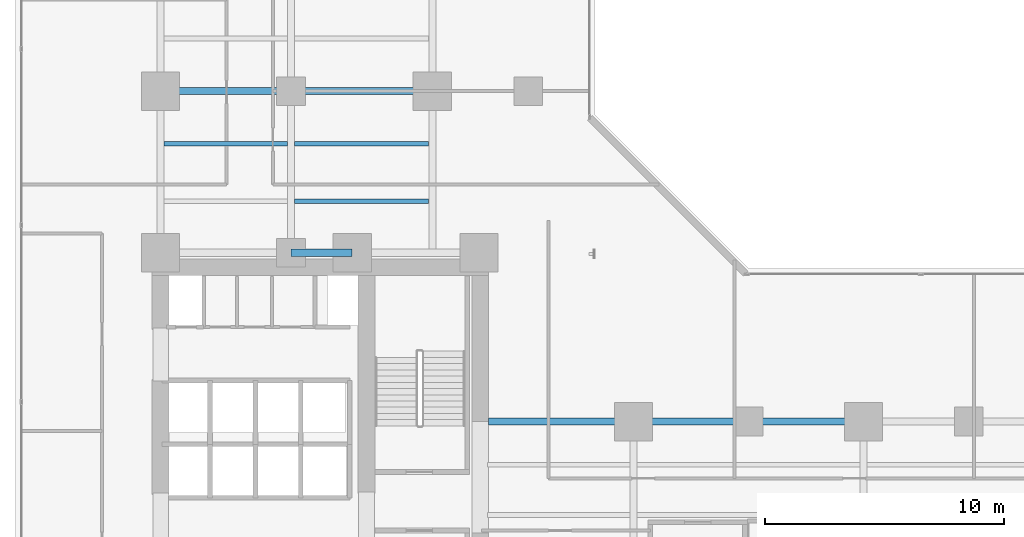
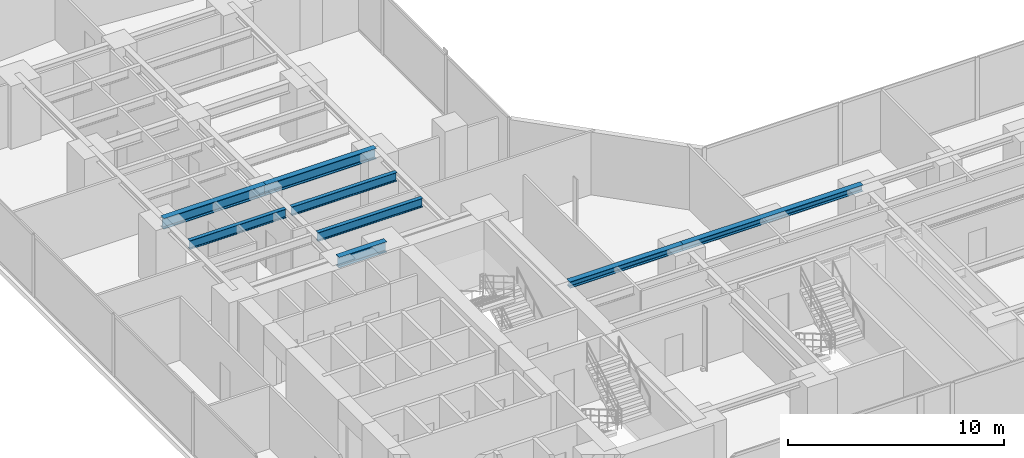
# One storey, part 7 of 28: 8 beams.
"""IFC4 building model written with IfcOpenShell, lengths in metres."""

from ifc_helpers import new_model, si_unit, direction, frame, origin, origin_2d, place, context, subcontext, project, spatial, i_section, extrude, material, material_profile, profile_set, type_object, element, save


model = new_model("IFC4")

# Units and contexts
model_context = context("Model", 3, precision=1e-05, world=origin(), true_north=direction((0.0, 1.0)))
body_context = subcontext(model_context, "Body", "Model", "MODEL_VIEW")
ifc_project = project(units=[si_unit("LENGTHUNIT", "METRE"), si_unit("AREAUNIT", "SQUARE_METRE"), si_unit("VOLUMEUNIT", "CUBIC_METRE"), si_unit("PLANEANGLEUNIT", "RADIAN"), si_unit("MASSUNIT", "GRAM", prefix="KILO")], contexts=[model_context])

# Site, building, storey
site_placement = place(None, origin())
site = spatial("IfcSite", under=ifc_project, at=site_placement, CompositionType="ELEMENT")
building_placement = place(site_placement, origin())
building = spatial("IfcBuilding", under=site, at=building_placement, Name="Kolvaren Waterfront Exchange", CompositionType="ELEMENT")
storey_placement = place(building_placement, frame((0.0, 0.0, 75.199951171875)))
storey = spatial("IfcBuildingStorey", under=building, at=storey_placement, Name="L19", CompositionType="ELEMENT", Elevation=75.199951171875)

# Beams
ifc_material = material(Name="Steel S355", Category="steel")
ifc_material_profile_1 = material_profile(ifc_material, i_section(OverallWidth=0.300048828125, OverallDepth=0.360107421875, WebThickness=0.012451171875, FlangeThickness=0.0224609375, FilletRadius=0.027099609375, at=origin_2d()), Name="HEB360")
ifc_profile_set_1 = profile_set([ifc_material_profile_1], Name="Steel S355")
beam_type_1 = type_object("IfcBeamType", Name="STR-BM-HEB360", PredefinedType="SPANDREL", material=ifc_profile_set_1)
beam_1_placement = place(storey_placement, frame((21.14990234375, 17.39990234375, 3.360107421875), z_axis=(1.0, 0.0, 0.0), x_axis=(0.0, 1.0, 0.0)))
element("IfcBeam", 1, at=beam_1_placement, inside=storey, type_object=beam_type_1, Name="L19 east-arm spandrel N1", PredefinedType="SPANDREL", context=body_context, shape_type="SweptSolid", body=[
    extrude(i_section(OverallWidth=0.300048828125, OverallDepth=0.360107421875, WebThickness=0.012451171875, FlangeThickness=0.0224609375, FilletRadius=0.027099609375, at=origin_2d()), origin(), (0.0, 0.0, 1.0), 6.050048828125),
])
beam_2_placement = place(storey_placement, frame((27.199951171875, 17.39990234375, 3.360107421875), z_axis=(1.0, 0.0, 0.0), x_axis=(0.0, 1.0, 0.0)))
element("IfcBeam", 2, at=beam_2_placement, inside=storey, type_object=beam_type_1, Name="L19 east-arm spandrel N2", PredefinedType="SPANDREL", context=body_context, shape_type="SweptSolid", body=[
    extrude(i_section(OverallWidth=0.300048828125, OverallDepth=0.360107421875, WebThickness=0.012451171875, FlangeThickness=0.0224609375, FilletRadius=0.027099609375, at=origin_2d()), origin(), (0.0, 0.0, 1.0), 9.60009765625),
])
ifc_material_profile_2 = material_profile(ifc_material, i_section(OverallWidth=0.300048828125, OverallDepth=0.60009765625, WebThickness=0.015380859375, FlangeThickness=0.030029296875, FilletRadius=0.027099609375, at=origin_2d()), Name="HEB600")
ifc_profile_set_2 = profile_set([ifc_material_profile_2], Name="Steel S355")
beam_type_2 = type_object("IfcBeamType", Name="STR-BM-HEB600", PredefinedType="BEAM", material=ifc_profile_set_2)
beam_3_placement = place(storey_placement, frame((12.89990234375, 24.449951171875, 3.239990234375), z_axis=(1.0, 0.0, 0.0), x_axis=(0.0, 1.0, 0.0)))
element("IfcBeam", 3, at=beam_3_placement, inside=storey, type_object=beam_type_2, Name="L19 north-arm girder 1B", PredefinedType="BEAM", context=body_context, shape_type="SweptSolid", body=[
    extrude(i_section(OverallWidth=0.300048828125, OverallDepth=0.60009765625, WebThickness=0.015380859375, FlangeThickness=0.030029296875, FilletRadius=0.027099609375, at=origin_2d()), origin(), (0.0, 0.0, 1.0), 2.550048828125),
])
beam_4_placement = place(storey_placement, frame((7.449951171875, 31.199951171875, 3.239990234375), z_axis=(1.0, 0.0, 0.0), x_axis=(0.0, 1.0, 0.0)))
element("IfcBeam", 4, at=beam_4_placement, inside=storey, type_object=beam_type_2, Name="L19 north-arm girder 2A", PredefinedType="BEAM", context=body_context, shape_type="SweptSolid", body=[
    extrude(i_section(OverallWidth=0.300048828125, OverallDepth=0.60009765625, WebThickness=0.015380859375, FlangeThickness=0.030029296875, FilletRadius=0.027099609375, at=origin_2d()), origin(), (0.0, 0.0, 1.0), 5.449951171875),
])
beam_5_placement = place(storey_placement, frame((12.89990234375, 31.199951171875, 3.239990234375), z_axis=(1.0, 0.0, 0.0), x_axis=(0.0, 1.0, 0.0)))
element("IfcBeam", 5, at=beam_5_placement, inside=storey, type_object=beam_type_2, Name="L19 north-arm girder 2B", PredefinedType="BEAM", context=body_context, shape_type="SweptSolid", body=[
    extrude(i_section(OverallWidth=0.300048828125, OverallDepth=0.60009765625, WebThickness=0.015380859375, FlangeThickness=0.030029296875, FilletRadius=0.027099609375, at=origin_2d()), origin(), (0.0, 0.0, 1.0), 5.900146484375),
])
ifc_material_profile_3 = material_profile(ifc_material, i_section(OverallWidth=0.199951171875, OverallDepth=0.5, WebThickness=0.01025390625, FlangeThickness=0.01611328125, FilletRadius=0.02099609375, at=origin_2d()), Name="IPE500")
ifc_profile_set_3 = profile_set([ifc_material_profile_3], Name="Steel S355")
beam_type_3 = type_object("IfcBeamType", Name="STR-BM-IPE500", PredefinedType="JOIST", material=ifc_profile_set_3)
beam_6_placement = place(storey_placement, frame((13.052001953125, 26.60009765625, 3.2900390625), z_axis=(1.0, 0.0, 0.0), x_axis=(0.0, 1.0, 0.0)))
element("IfcBeam", 6, at=beam_6_placement, inside=storey, type_object=beam_type_3, Name="L19 north-arm composite joist 1B", PredefinedType="JOIST", context=body_context, shape_type="SweptSolid", body=[
    extrude(i_section(OverallWidth=0.199951171875, OverallDepth=0.5, WebThickness=0.01025390625, FlangeThickness=0.01611328125, FilletRadius=0.02099609375, at=origin_2d()), origin(), (0.0, 0.0, 1.0), 5.595947265625),
])
beam_7_placement = place(storey_placement, frame((7.60205078125, 29.0, 3.2900390625), z_axis=(1.0, 0.0, 0.0), x_axis=(0.0, 1.0, 0.0)))
element("IfcBeam", 7, at=beam_7_placement, inside=storey, type_object=beam_type_3, Name="L19 north-arm composite joist 2A", PredefinedType="JOIST", context=body_context, shape_type="SweptSolid", body=[
    extrude(i_section(OverallWidth=0.199951171875, OverallDepth=0.5, WebThickness=0.01025390625, FlangeThickness=0.01611328125, FilletRadius=0.02099609375, at=origin_2d()), origin(), (0.0, 0.0, 1.0), 5.14599609375),
])
beam_8_placement = place(storey_placement, frame((13.052001953125, 29.0, 3.2900390625), z_axis=(1.0, 0.0, 0.0), x_axis=(0.0, 1.0, 0.0)))
element("IfcBeam", 8, at=beam_8_placement, inside=storey, type_object=beam_type_3, Name="L19 north-arm composite joist 2B", PredefinedType="JOIST", context=body_context, shape_type="SweptSolid", body=[
    extrude(i_section(OverallWidth=0.199951171875, OverallDepth=0.5, WebThickness=0.01025390625, FlangeThickness=0.01611328125, FilletRadius=0.02099609375, at=origin_2d()), origin(), (0.0, 0.0, 1.0), 5.595947265625),
])

save(model, "model.ifc")
